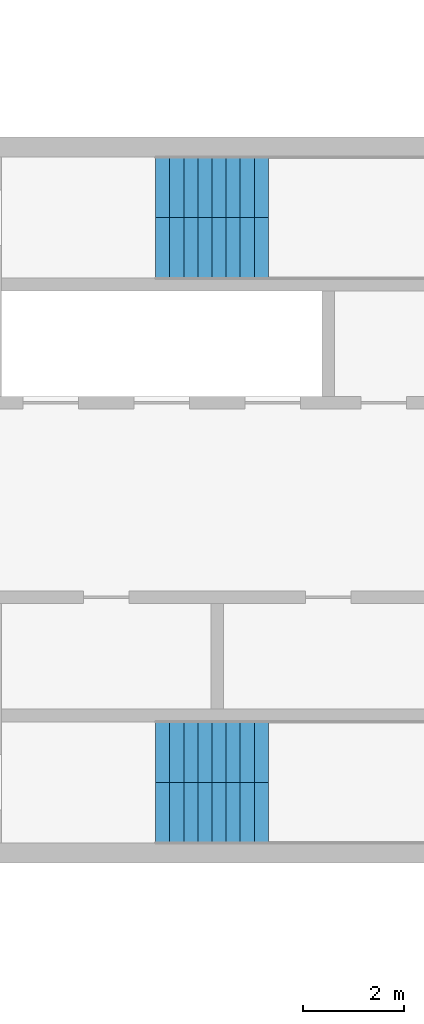
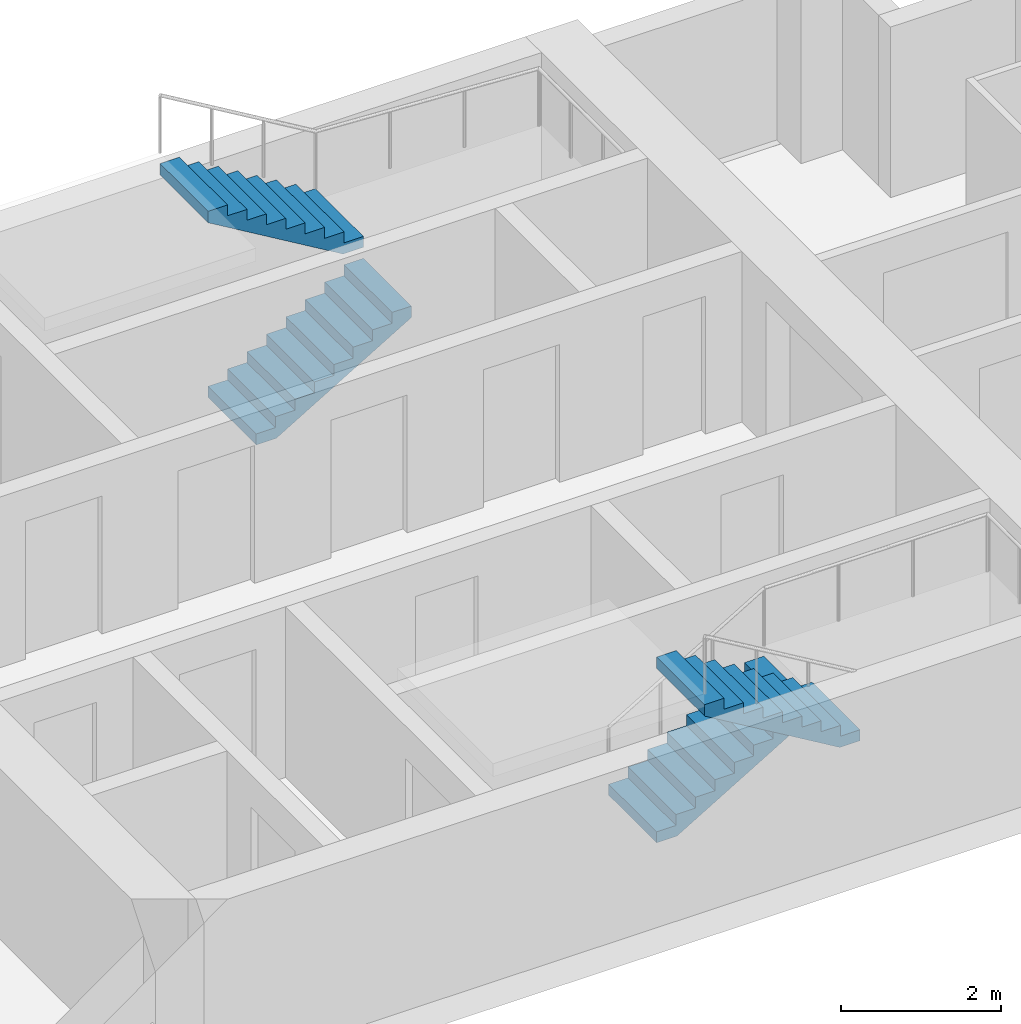
# One storey, part 8 of 10: 4 stair flights, 2 elements without a shape of their own.
"""IFC4 building model written with IfcOpenShell, lengths in metres."""

from ifc_helpers import new_model, si_unit, direction, frame, origin, place, context, subcontext, project, spatial, polyline, outline, extrude, material, type_object, element, aggregate, save


model = new_model("IFC4")

# Units and contexts
model_context = context("Model", 3, precision=1e-05, world=origin(), true_north=direction((0.0, 1.0)))
body_context = subcontext(model_context, "Body", "Model", "MODEL_VIEW")
ifc_project = project(units=[si_unit("LENGTHUNIT", "METRE"), si_unit("AREAUNIT", "SQUARE_METRE"), si_unit("VOLUMEUNIT", "CUBIC_METRE"), si_unit("PLANEANGLEUNIT", "RADIAN"), si_unit("MASSUNIT", "GRAM", prefix="KILO")], contexts=[model_context])

# Site, building, storey
site_placement = place(None, origin())
site = spatial("IfcSite", under=ifc_project, at=site_placement, CompositionType="ELEMENT")
building_placement = place(site_placement, origin())
building = spatial("IfcBuilding", under=site, at=building_placement, Name="Fustian Cross Tower", CompositionType="ELEMENT")
storey_placement = place(building_placement, frame((0.0, 0.0, 204.89990234375)))
storey = spatial("IfcBuildingStorey", under=building, at=storey_placement, Name="L64", CompositionType="ELEMENT", Elevation=204.89990234375)

# Stair, stair flights
ifc_material_1 = material(Name="Concrete C50/60", Category="concrete")
stair_type = type_object("IfcStairType", Name="STAIR 1200 HALF TURN", PredefinedType="HALF_TURN_STAIR", material=ifc_material_1)
stair_1_placement = place(storey_placement, origin())
stair_1 = element("IfcStair", 1, at=stair_1_placement, inside=storey, type_object=stair_type, Name="Stair ST1", PredefinedType="HALF_TURN_STAIR")
ifc_material_2 = material(Name="Concrete C50/60", Category="concrete")
stair_flight_type = type_object("IfcStairFlightType", Name="STAIR FLIGHT 1200", PredefinedType="STRAIGHT", material=ifc_material_2)
stair_flight_1_placement = place(storey_placement, frame((15.35009765625, 5.0, 0.0), z_axis=(0.0, 0.0, 1.0), x_axis=(1.0, 0.0, 0.0)))
stair_flight_1 = element("IfcStairFlight", 2, at=stair_flight_1_placement, type_object=stair_flight_type, Name="ST1 flight 1", NumberOfRisers=9, NumberOfTreads=8, PredefinedType="STRAIGHT", RiserHeight=0.166666667, TreadLength=0.28, context=body_context, shape_type="SweptSolid", body=[
    extrude(outline(polyline([(0.0, 0.0), (0.0, 0.166748046875), (0.280029296875, 0.166748046875), (0.280029296875, 0.333251953125), (0.56005859375, 0.333251953125), (0.56005859375, 0.5), (0.840087890625, 0.5), (0.840087890625, 0.666748046875), (1.1201171875, 0.666748046875), (1.1201171875, 0.833251953125), (1.39990234375, 0.833251953125), (1.39990234375, 1.0), (1.679931640625, 1.0), (1.679931640625, 1.166748046875), (1.9599609375, 1.166748046875), (1.9599609375, 1.333251953125), (2.239990234375, 1.333251953125), (2.239990234375, 1.5), (2.239990234375, 1.158935546875), (0.29296875, 0.0), (0.0, 0.0)])), frame((0.0, 0.60009765625, 0.0), z_axis=(0.0, -1.0, 0.0), x_axis=(1.0, 0.0, 0.0)), (0.0, 0.0, 1.0), 1.199951171875),
])
stair_flight_2_placement = place(storey_placement, frame((17.590087890625, 6.199951171875, 1.5), z_axis=(0.0, 0.0, 1.0), x_axis=(-1.0, 0.0, 0.0)))
stair_flight_2 = element("IfcStairFlight", 3, at=stair_flight_2_placement, type_object=stair_flight_type, Name="ST1 flight 2", NumberOfRisers=9, NumberOfTreads=8, PredefinedType="STRAIGHT", RiserHeight=0.166666667, TreadLength=0.28, context=body_context, shape_type="SweptSolid", body=[
    extrude(outline(polyline([(0.0, 0.0), (0.0, 0.166748046875), (0.280029296875, 0.166748046875), (0.280029296875, 0.333251953125), (0.56005859375, 0.333251953125), (0.56005859375, 0.5), (0.840087890625, 0.5), (0.840087890625, 0.666748046875), (1.1201171875, 0.666748046875), (1.1201171875, 0.833251953125), (1.39990234375, 0.833251953125), (1.39990234375, 1.0), (1.679931640625, 1.0), (1.679931640625, 1.166748046875), (1.9599609375, 1.166748046875), (1.9599609375, 1.333251953125), (2.239990234375, 1.333251953125), (2.239990234375, 1.5), (2.239990234375, 1.158935546875), (0.29296875, 0.0), (0.0, 0.0)])), frame((0.0, 0.60009765625, 0.0), z_axis=(0.0, -1.0, 0.0), x_axis=(1.0, 0.0, 0.0)), (0.0, 0.0, 1.0), 1.199951171875),
])
aggregate(stair_1, [stair_flight_1, stair_flight_2])

stair_2_placement = place(storey_placement, origin())
stair_2 = element("IfcStair", 4, at=stair_2_placement, inside=storey, type_object=stair_type, Name="Stair ST2", PredefinedType="HALF_TURN_STAIR")
stair_flight_3_placement = place(storey_placement, frame((15.35009765625, -5.0, 0.0), z_axis=(0.0, 0.0, 1.0), x_axis=(1.0, 0.0, 0.0)))
stair_flight_3 = element("IfcStairFlight", 5, at=stair_flight_3_placement, type_object=stair_flight_type, Name="ST2 flight 1", NumberOfRisers=9, NumberOfTreads=8, PredefinedType="STRAIGHT", RiserHeight=0.166666667, TreadLength=0.28, context=body_context, shape_type="SweptSolid", body=[
    extrude(outline(polyline([(0.0, 0.0), (0.0, 0.166748046875), (0.280029296875, 0.166748046875), (0.280029296875, 0.333251953125), (0.56005859375, 0.333251953125), (0.56005859375, 0.5), (0.840087890625, 0.5), (0.840087890625, 0.666748046875), (1.1201171875, 0.666748046875), (1.1201171875, 0.833251953125), (1.39990234375, 0.833251953125), (1.39990234375, 1.0), (1.679931640625, 1.0), (1.679931640625, 1.166748046875), (1.9599609375, 1.166748046875), (1.9599609375, 1.333251953125), (2.239990234375, 1.333251953125), (2.239990234375, 1.5), (2.239990234375, 1.158935546875), (0.29296875, 0.0), (0.0, 0.0)])), frame((0.0, 0.60009765625, 0.0), z_axis=(0.0, -1.0, 0.0), x_axis=(1.0, 0.0, 0.0)), (0.0, 0.0, 1.0), 1.199951171875),
])
stair_flight_4_placement = place(storey_placement, frame((17.590087890625, -6.199951171875, 1.5), z_axis=(0.0, 0.0, 1.0), x_axis=(-1.0, 0.0, 0.0)))
stair_flight_4 = element("IfcStairFlight", 6, at=stair_flight_4_placement, type_object=stair_flight_type, Name="ST2 flight 2", NumberOfRisers=9, NumberOfTreads=8, PredefinedType="STRAIGHT", RiserHeight=0.166666667, TreadLength=0.28, context=body_context, shape_type="SweptSolid", body=[
    extrude(outline(polyline([(0.0, 0.0), (0.0, 0.166748046875), (0.280029296875, 0.166748046875), (0.280029296875, 0.333251953125), (0.56005859375, 0.333251953125), (0.56005859375, 0.5), (0.840087890625, 0.5), (0.840087890625, 0.666748046875), (1.1201171875, 0.666748046875), (1.1201171875, 0.833251953125), (1.39990234375, 0.833251953125), (1.39990234375, 1.0), (1.679931640625, 1.0), (1.679931640625, 1.166748046875), (1.9599609375, 1.166748046875), (1.9599609375, 1.333251953125), (2.239990234375, 1.333251953125), (2.239990234375, 1.5), (2.239990234375, 1.158935546875), (0.29296875, 0.0), (0.0, 0.0)])), frame((0.0, 0.60009765625, 0.0), z_axis=(0.0, -1.0, 0.0), x_axis=(1.0, 0.0, 0.0)), (0.0, 0.0, 1.0), 1.199951171875),
])
aggregate(stair_2, [stair_flight_3, stair_flight_4])

save(model, "model.ifc")
